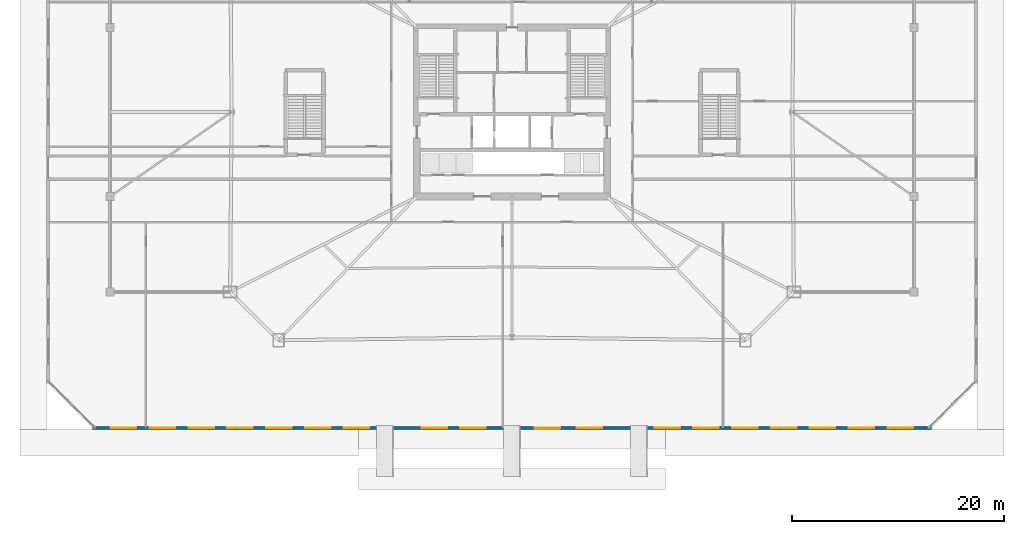
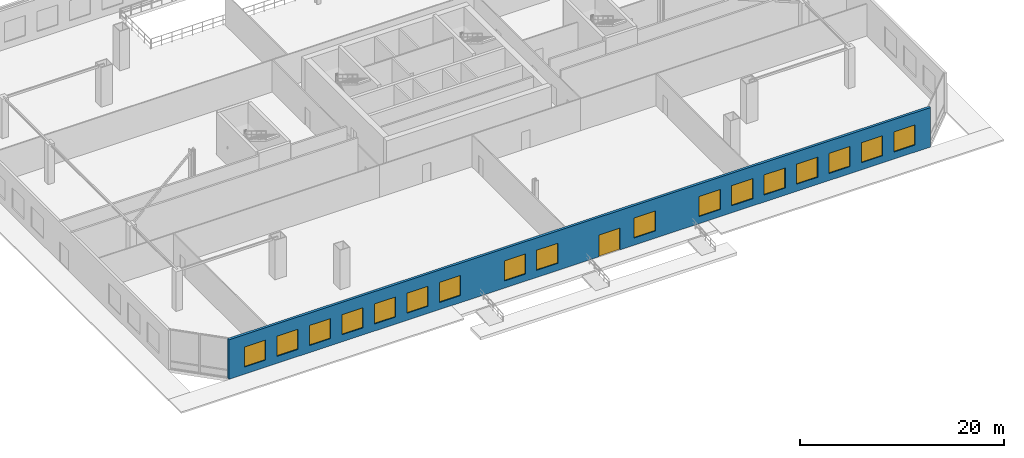
# One storey, part 13 of 23: 17 windows, 1 door, 1 wall, 18 openings.
"""IFC4 building model written with IfcOpenShell, lengths in metres."""

from ifc_helpers import new_model, si_unit, direction, frame, frame_2d, origin, place, context, subcontext, project, spatial, rectangle, extrude, material, layer, layer_set, type_object, element, fill, save


model = new_model("IFC4")

# Units and contexts
model_context = context("Model", 3, precision=1e-05, world=origin(), true_north=direction((0.0, 1.0)))
body_context = subcontext(model_context, "Body", "Model", "MODEL_VIEW")
ifc_project = project(units=[si_unit("LENGTHUNIT", "METRE"), si_unit("AREAUNIT", "SQUARE_METRE"), si_unit("VOLUMEUNIT", "CUBIC_METRE"), si_unit("PLANEANGLEUNIT", "RADIAN"), si_unit("MASSUNIT", "GRAM", prefix="KILO")], contexts=[model_context])

# Site, building, storey
site_placement = place(None, origin())
site = spatial("IfcSite", under=ifc_project, at=site_placement, CompositionType="ELEMENT")
building_placement = place(site_placement, origin())
building = spatial("IfcBuilding", under=site, at=building_placement, Name="Caelvoria Tower", CompositionType="ELEMENT")
storey_placement = place(building_placement, origin())
storey = spatial("IfcBuildingStorey", under=building, at=storey_placement, Name="L00", CompositionType="ELEMENT", Elevation=0.0)

# Wall, openings, door, windows
ifc_material_1 = material(Name="Precast Concrete C40/50 with Bronze Cladding", Category="concrete")
ifc_layer = layer(ifc_material_1, 0.280029296875, Name="Precast Concrete C40/50 with Bronze Cladding")
ifc_layer_set = layer_set([ifc_layer], Name="Exterior Precast Concrete C40/50 Bronze-Clad Facade Wall 280 - Precast Concrete C40/50 with Bronze Cladding")
wall_type = type_object("IfcWallType", Name="Exterior Precast Concrete C40/50 Bronze-Clad Facade Wall 280", PredefinedType="STANDARD", material=ifc_layer_set)
wall_placement = place(storey_placement, frame((6.360107421875, 2.139892578125, 0.0), z_axis=(0.0, 0.0, 1.0), x_axis=(1.0, 0.0, 0.0)))
wall = element("IfcWall", 1, at=wall_placement, inside=storey, type_object=wall_type, Name="Exterior Facade Wall L00-E0", PredefinedType="STANDARD", context=body_context, shape_type="SweptSolid", body=[
    extrude(rectangle(XDim=79.27978515625, YDim=0.280029296875, at=frame_2d((39.639892578125, 0.0))), origin(), (0.0, 0.0, 1.0), 4.719970703125),
])
opening_1_placement = place(wall_placement, frame((41.7900390625, 0.0, 0.0)))
opening_1 = element("IfcOpeningElement", 2, at=opening_1_placement, cuts=wall, Name="Opening ED-01", PredefinedType="OPENING", context=body_context, shape_type="SweptSolid", body=[
    extrude(rectangle(XDim=2.39990234375, YDim=2.60009765625, at=frame_2d((1.199951171875, 1.300048828125))), frame((0.0, 0.14990234375, 0.0), z_axis=(0.0, -1.0, 0.0), x_axis=(1.0, 0.0, 0.0)), (0.0, 0.0, 1.0), 0.300048828125),
])
opening_2_placement = place(wall_placement, frame((1.735107421875, 0.0, 0.85009765625)))
opening_2 = element("IfcOpeningElement", 3, at=opening_2_placement, cuts=wall, Name="Opening WN-04", PredefinedType="OPENING", context=body_context, shape_type="SweptSolid", body=[
    extrude(rectangle(XDim=2.39990234375, YDim=2.39990234375, at=frame_2d((1.199951171875, 1.199951171875))), frame((0.0, 0.14990234375, 0.0), z_axis=(0.0, -1.0, 0.0), x_axis=(1.0, 0.0, 0.0)), (0.0, 0.0, 1.0), 0.300048828125),
])
opening_3_placement = place(wall_placement, frame((5.40576171875, 0.0, 0.85009765625)))
opening_3 = element("IfcOpeningElement", 4, at=opening_3_placement, cuts=wall, Name="Opening WN-04", PredefinedType="OPENING", context=body_context, shape_type="SweptSolid", body=[
    extrude(rectangle(XDim=2.39990234375, YDim=2.39990234375, at=frame_2d((1.199951171875, 1.199951171875))), frame((0.0, 0.14990234375, 0.0), z_axis=(0.0, -1.0, 0.0), x_axis=(1.0, 0.0, 0.0)), (0.0, 0.0, 1.0), 0.300048828125),
])
opening_4_placement = place(wall_placement, frame((9.076171875, 0.0, 0.85009765625)))
opening_4 = element("IfcOpeningElement", 5, at=opening_4_placement, cuts=wall, Name="Opening WN-04", PredefinedType="OPENING", context=body_context, shape_type="SweptSolid", body=[
    extrude(rectangle(XDim=2.39990234375, YDim=2.39990234375, at=frame_2d((1.199951171875, 1.199951171875))), frame((0.0, 0.14990234375, 0.0), z_axis=(0.0, -1.0, 0.0), x_axis=(1.0, 0.0, 0.0)), (0.0, 0.0, 1.0), 0.300048828125),
])
opening_5_placement = place(wall_placement, frame((12.74658203125, 0.0, 0.85009765625)))
opening_5 = element("IfcOpeningElement", 6, at=opening_5_placement, cuts=wall, Name="Opening WN-04", PredefinedType="OPENING", context=body_context, shape_type="SweptSolid", body=[
    extrude(rectangle(XDim=2.39990234375, YDim=2.39990234375, at=frame_2d((1.199951171875, 1.199951171875))), frame((0.0, 0.14990234375, 0.0), z_axis=(0.0, -1.0, 0.0), x_axis=(1.0, 0.0, 0.0)), (0.0, 0.0, 1.0), 0.300048828125),
])
opening_6_placement = place(wall_placement, frame((16.4169921875, 0.0, 0.85009765625)))
opening_6 = element("IfcOpeningElement", 7, at=opening_6_placement, cuts=wall, Name="Opening WN-04", PredefinedType="OPENING", context=body_context, shape_type="SweptSolid", body=[
    extrude(rectangle(XDim=2.39990234375, YDim=2.39990234375, at=frame_2d((1.199951171875, 1.199951171875))), frame((0.0, 0.14990234375, 0.0), z_axis=(0.0, -1.0, 0.0), x_axis=(1.0, 0.0, 0.0)), (0.0, 0.0, 1.0), 0.300048828125),
])
opening_7_placement = place(wall_placement, frame((20.087646484375, 0.0, 0.85009765625)))
opening_7 = element("IfcOpeningElement", 8, at=opening_7_placement, cuts=wall, Name="Opening WN-04", PredefinedType="OPENING", context=body_context, shape_type="SweptSolid", body=[
    extrude(rectangle(XDim=2.39990234375, YDim=2.39990234375, at=frame_2d((1.199951171875, 1.199951171875))), frame((0.0, 0.14990234375, 0.0), z_axis=(0.0, -1.0, 0.0), x_axis=(1.0, 0.0, 0.0)), (0.0, 0.0, 1.0), 0.300048828125),
])
opening_8_placement = place(wall_placement, frame((23.758056640625, 0.0, 0.85009765625)))
opening_8 = element("IfcOpeningElement", 9, at=opening_8_placement, cuts=wall, Name="Opening WN-04", PredefinedType="OPENING", context=body_context, shape_type="SweptSolid", body=[
    extrude(rectangle(XDim=2.39990234375, YDim=2.39990234375, at=frame_2d((1.199951171875, 1.199951171875))), frame((0.0, 0.14990234375, 0.0), z_axis=(0.0, -1.0, 0.0), x_axis=(1.0, 0.0, 0.0)), (0.0, 0.0, 1.0), 0.300048828125),
])
opening_9_placement = place(wall_placement, frame((31.09912109375, 0.0, 0.85009765625)))
opening_9 = element("IfcOpeningElement", 10, at=opening_9_placement, cuts=wall, Name="Opening WN-04", PredefinedType="OPENING", context=body_context, shape_type="SweptSolid", body=[
    extrude(rectangle(XDim=2.39990234375, YDim=2.39990234375, at=frame_2d((1.199951171875, 1.199951171875))), frame((0.0, 0.14990234375, 0.0), z_axis=(0.0, -1.0, 0.0), x_axis=(1.0, 0.0, 0.0)), (0.0, 0.0, 1.0), 0.300048828125),
])
opening_10_placement = place(wall_placement, frame((34.76953125, 0.0, 0.85009765625)))
opening_10 = element("IfcOpeningElement", 11, at=opening_10_placement, cuts=wall, Name="Opening WN-04", PredefinedType="OPENING", context=body_context, shape_type="SweptSolid", body=[
    extrude(rectangle(XDim=2.39990234375, YDim=2.39990234375, at=frame_2d((1.199951171875, 1.199951171875))), frame((0.0, 0.14990234375, 0.0), z_axis=(0.0, -1.0, 0.0), x_axis=(1.0, 0.0, 0.0)), (0.0, 0.0, 1.0), 0.300048828125),
])
opening_11_placement = place(wall_placement, frame((45.781005859375, 0.0, 0.85009765625)))
opening_11 = element("IfcOpeningElement", 12, at=opening_11_placement, cuts=wall, Name="Opening WN-04", PredefinedType="OPENING", context=body_context, shape_type="SweptSolid", body=[
    extrude(rectangle(XDim=2.39990234375, YDim=2.39990234375, at=frame_2d((1.199951171875, 1.199951171875))), frame((0.0, 0.14990234375, 0.0), z_axis=(0.0, -1.0, 0.0), x_axis=(1.0, 0.0, 0.0)), (0.0, 0.0, 1.0), 0.300048828125),
])
opening_12_placement = place(wall_placement, frame((53.121826171875, 0.0, 0.85009765625)))
opening_12 = element("IfcOpeningElement", 13, at=opening_12_placement, cuts=wall, Name="Opening WN-04", PredefinedType="OPENING", context=body_context, shape_type="SweptSolid", body=[
    extrude(rectangle(XDim=2.39990234375, YDim=2.39990234375, at=frame_2d((1.199951171875, 1.199951171875))), frame((0.0, 0.14990234375, 0.0), z_axis=(0.0, -1.0, 0.0), x_axis=(1.0, 0.0, 0.0)), (0.0, 0.0, 1.0), 0.300048828125),
])
opening_13_placement = place(wall_placement, frame((56.79248046875, 0.0, 0.85009765625)))
opening_13 = element("IfcOpeningElement", 14, at=opening_13_placement, cuts=wall, Name="Opening WN-04", PredefinedType="OPENING", context=body_context, shape_type="SweptSolid", body=[
    extrude(rectangle(XDim=2.39990234375, YDim=2.39990234375, at=frame_2d((1.199951171875, 1.199951171875))), frame((0.0, 0.14990234375, 0.0), z_axis=(0.0, -1.0, 0.0), x_axis=(1.0, 0.0, 0.0)), (0.0, 0.0, 1.0), 0.300048828125),
])
opening_14_placement = place(wall_placement, frame((60.462890625, 0.0, 0.85009765625)))
opening_14 = element("IfcOpeningElement", 15, at=opening_14_placement, cuts=wall, Name="Opening WN-04", PredefinedType="OPENING", context=body_context, shape_type="SweptSolid", body=[
    extrude(rectangle(XDim=2.39990234375, YDim=2.39990234375, at=frame_2d((1.199951171875, 1.199951171875))), frame((0.0, 0.14990234375, 0.0), z_axis=(0.0, -1.0, 0.0), x_axis=(1.0, 0.0, 0.0)), (0.0, 0.0, 1.0), 0.300048828125),
])
opening_15_placement = place(wall_placement, frame((64.13330078125, 0.0, 0.85009765625)))
opening_15 = element("IfcOpeningElement", 16, at=opening_15_placement, cuts=wall, Name="Opening WN-04", PredefinedType="OPENING", context=body_context, shape_type="SweptSolid", body=[
    extrude(rectangle(XDim=2.39990234375, YDim=2.39990234375, at=frame_2d((1.199951171875, 1.199951171875))), frame((0.0, 0.14990234375, 0.0), z_axis=(0.0, -1.0, 0.0), x_axis=(1.0, 0.0, 0.0)), (0.0, 0.0, 1.0), 0.300048828125),
])
opening_16_placement = place(wall_placement, frame((67.8037109375, 0.0, 0.85009765625)))
opening_16 = element("IfcOpeningElement", 17, at=opening_16_placement, cuts=wall, Name="Opening WN-04", PredefinedType="OPENING", context=body_context, shape_type="SweptSolid", body=[
    extrude(rectangle(XDim=2.39990234375, YDim=2.39990234375, at=frame_2d((1.199951171875, 1.199951171875))), frame((0.0, 0.14990234375, 0.0), z_axis=(0.0, -1.0, 0.0), x_axis=(1.0, 0.0, 0.0)), (0.0, 0.0, 1.0), 0.300048828125),
])
opening_17_placement = place(wall_placement, frame((71.474365234375, 0.0, 0.85009765625)))
opening_17 = element("IfcOpeningElement", 18, at=opening_17_placement, cuts=wall, Name="Opening WN-04", PredefinedType="OPENING", context=body_context, shape_type="SweptSolid", body=[
    extrude(rectangle(XDim=2.39990234375, YDim=2.39990234375, at=frame_2d((1.199951171875, 1.199951171875))), frame((0.0, 0.14990234375, 0.0), z_axis=(0.0, -1.0, 0.0), x_axis=(1.0, 0.0, 0.0)), (0.0, 0.0, 1.0), 0.300048828125),
])
opening_18_placement = place(wall_placement, frame((75.144775390625, 0.0, 0.85009765625)))
opening_18 = element("IfcOpeningElement", 19, at=opening_18_placement, cuts=wall, Name="Opening WN-04", PredefinedType="OPENING", context=body_context, shape_type="SweptSolid", body=[
    extrude(rectangle(XDim=2.39990234375, YDim=2.39990234375, at=frame_2d((1.199951171875, 1.199951171875))), frame((0.0, 0.14990234375, 0.0), z_axis=(0.0, -1.0, 0.0), x_axis=(1.0, 0.0, 0.0)), (0.0, 0.0, 1.0), 0.300048828125),
])
ifc_material_2 = material(Name="Anodised Bronze Aluminium and Laminated Glass", Category="aluminium")
door_type = type_object("IfcDoorType", Name="Main Plaza Double Entrance Glazed Door 2400x2600", OperationType="NOTDEFINED", PredefinedType="DOOR", material=ifc_material_2)
door_placement = place(opening_1_placement, frame((2.39990234375, 0.0, 0.0), z_axis=(0.0, 0.0, 1.0), x_axis=(-1.0, 0.0, 0.0)))
door = element("IfcDoor", 20, at=door_placement, inside=storey, type_object=door_type, Name="Ground Main Entrance Door S", OperationType="DOUBLE_DOOR_SINGLE_SWING", OverallHeight=2.60009765625, OverallWidth=2.39990234375, PredefinedType="DOOR", context=body_context, shape_type="SweptSolid", body=[
    extrude(rectangle(XDim=2.39990234375, YDim=2.60009765625, at=frame_2d((1.199951171875, 1.300048828125))), frame((0.0, 0.02490234375, 0.0), z_axis=(0.0, -1.0, 0.0), x_axis=(1.0, 0.0, 0.0)), (0.0, 0.0, 1.0), 0.050048828125),
])
fill(opening_1, door)
ifc_material_3 = material(Name="Low-E Tinted Glass in Bronze Aluminium Frame", Category="aluminium")
window_type = type_object("IfcWindowType", Name="Podium Commercial Ribbon Window 2400x2400", PartitioningType="SINGLE_PANEL", PredefinedType="WINDOW", material=ifc_material_3)
window_1_placement = place(opening_2_placement, origin())
window_1 = element("IfcWindow", 21, at=window_1_placement, inside=storey, type_object=window_type, Name="Facade Window L00-E0-00", OverallHeight=2.39990234375, OverallWidth=2.39990234375, PartitioningType="SINGLE_PANEL", PredefinedType="WINDOW", context=body_context, shape_type="SweptSolid", body=[
    extrude(rectangle(XDim=2.39990234375, YDim=2.39990234375, at=frame_2d((1.199951171875, 1.199951171875))), frame((0.0, 0.030029296875, 0.0), z_axis=(0.0, -1.0, 0.0), x_axis=(1.0, 0.0, 0.0)), (0.0, 0.0, 1.0), 0.06005859375),
])
fill(opening_2, window_1)
window_2_placement = place(opening_3_placement, origin())
window_2 = element("IfcWindow", 22, at=window_2_placement, inside=storey, type_object=window_type, Name="Facade Window L00-E0-01", OverallHeight=2.39990234375, OverallWidth=2.39990234375, PartitioningType="SINGLE_PANEL", PredefinedType="WINDOW", context=body_context, shape_type="SweptSolid", body=[
    extrude(rectangle(XDim=2.39990234375, YDim=2.39990234375, at=frame_2d((1.199951171875, 1.199951171875))), frame((0.0, 0.030029296875, 0.0), z_axis=(0.0, -1.0, 0.0), x_axis=(1.0, 0.0, 0.0)), (0.0, 0.0, 1.0), 0.06005859375),
])
fill(opening_3, window_2)
window_3_placement = place(opening_4_placement, origin())
window_3 = element("IfcWindow", 23, at=window_3_placement, inside=storey, type_object=window_type, Name="Facade Window L00-E0-02", OverallHeight=2.39990234375, OverallWidth=2.39990234375, PartitioningType="SINGLE_PANEL", PredefinedType="WINDOW", context=body_context, shape_type="SweptSolid", body=[
    extrude(rectangle(XDim=2.39990234375, YDim=2.39990234375, at=frame_2d((1.199951171875, 1.199951171875))), frame((0.0, 0.030029296875, 0.0), z_axis=(0.0, -1.0, 0.0), x_axis=(1.0, 0.0, 0.0)), (0.0, 0.0, 1.0), 0.06005859375),
])
fill(opening_4, window_3)
window_4_placement = place(opening_5_placement, origin())
window_4 = element("IfcWindow", 24, at=window_4_placement, inside=storey, type_object=window_type, Name="Facade Window L00-E0-03", OverallHeight=2.39990234375, OverallWidth=2.39990234375, PartitioningType="SINGLE_PANEL", PredefinedType="WINDOW", context=body_context, shape_type="SweptSolid", body=[
    extrude(rectangle(XDim=2.39990234375, YDim=2.39990234375, at=frame_2d((1.199951171875, 1.199951171875))), frame((0.0, 0.030029296875, 0.0), z_axis=(0.0, -1.0, 0.0), x_axis=(1.0, 0.0, 0.0)), (0.0, 0.0, 1.0), 0.06005859375),
])
fill(opening_5, window_4)
window_5_placement = place(opening_6_placement, origin())
window_5 = element("IfcWindow", 25, at=window_5_placement, inside=storey, type_object=window_type, Name="Facade Window L00-E0-04", OverallHeight=2.39990234375, OverallWidth=2.39990234375, PartitioningType="SINGLE_PANEL", PredefinedType="WINDOW", context=body_context, shape_type="SweptSolid", body=[
    extrude(rectangle(XDim=2.39990234375, YDim=2.39990234375, at=frame_2d((1.199951171875, 1.199951171875))), frame((0.0, 0.030029296875, 0.0), z_axis=(0.0, -1.0, 0.0), x_axis=(1.0, 0.0, 0.0)), (0.0, 0.0, 1.0), 0.06005859375),
])
fill(opening_6, window_5)
window_6_placement = place(opening_7_placement, origin())
window_6 = element("IfcWindow", 26, at=window_6_placement, inside=storey, type_object=window_type, Name="Facade Window L00-E0-05", OverallHeight=2.39990234375, OverallWidth=2.39990234375, PartitioningType="SINGLE_PANEL", PredefinedType="WINDOW", context=body_context, shape_type="SweptSolid", body=[
    extrude(rectangle(XDim=2.39990234375, YDim=2.39990234375, at=frame_2d((1.199951171875, 1.199951171875))), frame((0.0, 0.030029296875, 0.0), z_axis=(0.0, -1.0, 0.0), x_axis=(1.0, 0.0, 0.0)), (0.0, 0.0, 1.0), 0.06005859375),
])
fill(opening_7, window_6)
window_7_placement = place(opening_8_placement, origin())
window_7 = element("IfcWindow", 27, at=window_7_placement, inside=storey, type_object=window_type, Name="Facade Window L00-E0-06", OverallHeight=2.39990234375, OverallWidth=2.39990234375, PartitioningType="SINGLE_PANEL", PredefinedType="WINDOW", context=body_context, shape_type="SweptSolid", body=[
    extrude(rectangle(XDim=2.39990234375, YDim=2.39990234375, at=frame_2d((1.199951171875, 1.199951171875))), frame((0.0, 0.030029296875, 0.0), z_axis=(0.0, -1.0, 0.0), x_axis=(1.0, 0.0, 0.0)), (0.0, 0.0, 1.0), 0.06005859375),
])
fill(opening_8, window_7)
window_8_placement = place(opening_9_placement, origin())
window_8 = element("IfcWindow", 28, at=window_8_placement, inside=storey, type_object=window_type, Name="Facade Window L00-E0-08", OverallHeight=2.39990234375, OverallWidth=2.39990234375, PartitioningType="SINGLE_PANEL", PredefinedType="WINDOW", context=body_context, shape_type="SweptSolid", body=[
    extrude(rectangle(XDim=2.39990234375, YDim=2.39990234375, at=frame_2d((1.199951171875, 1.199951171875))), frame((0.0, 0.030029296875, 0.0), z_axis=(0.0, -1.0, 0.0), x_axis=(1.0, 0.0, 0.0)), (0.0, 0.0, 1.0), 0.06005859375),
])
fill(opening_9, window_8)
window_9_placement = place(opening_10_placement, origin())
window_9 = element("IfcWindow", 29, at=window_9_placement, inside=storey, type_object=window_type, Name="Facade Window L00-E0-09", OverallHeight=2.39990234375, OverallWidth=2.39990234375, PartitioningType="SINGLE_PANEL", PredefinedType="WINDOW", context=body_context, shape_type="SweptSolid", body=[
    extrude(rectangle(XDim=2.39990234375, YDim=2.39990234375, at=frame_2d((1.199951171875, 1.199951171875))), frame((0.0, 0.030029296875, 0.0), z_axis=(0.0, -1.0, 0.0), x_axis=(1.0, 0.0, 0.0)), (0.0, 0.0, 1.0), 0.06005859375),
])
fill(opening_10, window_9)
window_10_placement = place(opening_11_placement, origin())
window_10 = element("IfcWindow", 30, at=window_10_placement, inside=storey, type_object=window_type, Name="Facade Window L00-E0-12", OverallHeight=2.39990234375, OverallWidth=2.39990234375, PartitioningType="SINGLE_PANEL", PredefinedType="WINDOW", context=body_context, shape_type="SweptSolid", body=[
    extrude(rectangle(XDim=2.39990234375, YDim=2.39990234375, at=frame_2d((1.199951171875, 1.199951171875))), frame((0.0, 0.030029296875, 0.0), z_axis=(0.0, -1.0, 0.0), x_axis=(1.0, 0.0, 0.0)), (0.0, 0.0, 1.0), 0.06005859375),
])
fill(opening_11, window_10)
window_11_placement = place(opening_12_placement, origin())
window_11 = element("IfcWindow", 31, at=window_11_placement, inside=storey, type_object=window_type, Name="Facade Window L00-E0-14", OverallHeight=2.39990234375, OverallWidth=2.39990234375, PartitioningType="SINGLE_PANEL", PredefinedType="WINDOW", context=body_context, shape_type="SweptSolid", body=[
    extrude(rectangle(XDim=2.39990234375, YDim=2.39990234375, at=frame_2d((1.199951171875, 1.199951171875))), frame((0.0, 0.030029296875, 0.0), z_axis=(0.0, -1.0, 0.0), x_axis=(1.0, 0.0, 0.0)), (0.0, 0.0, 1.0), 0.06005859375),
])
fill(opening_12, window_11)
window_12_placement = place(opening_13_placement, origin())
window_12 = element("IfcWindow", 32, at=window_12_placement, inside=storey, type_object=window_type, Name="Facade Window L00-E0-15", OverallHeight=2.39990234375, OverallWidth=2.39990234375, PartitioningType="SINGLE_PANEL", PredefinedType="WINDOW", context=body_context, shape_type="SweptSolid", body=[
    extrude(rectangle(XDim=2.39990234375, YDim=2.39990234375, at=frame_2d((1.199951171875, 1.199951171875))), frame((0.0, 0.030029296875, 0.0), z_axis=(0.0, -1.0, 0.0), x_axis=(1.0, 0.0, 0.0)), (0.0, 0.0, 1.0), 0.06005859375),
])
fill(opening_13, window_12)
window_13_placement = place(opening_14_placement, origin())
window_13 = element("IfcWindow", 33, at=window_13_placement, inside=storey, type_object=window_type, Name="Facade Window L00-E0-16", OverallHeight=2.39990234375, OverallWidth=2.39990234375, PartitioningType="SINGLE_PANEL", PredefinedType="WINDOW", context=body_context, shape_type="SweptSolid", body=[
    extrude(rectangle(XDim=2.39990234375, YDim=2.39990234375, at=frame_2d((1.199951171875, 1.199951171875))), frame((0.0, 0.030029296875, 0.0), z_axis=(0.0, -1.0, 0.0), x_axis=(1.0, 0.0, 0.0)), (0.0, 0.0, 1.0), 0.06005859375),
])
fill(opening_14, window_13)
window_14_placement = place(opening_15_placement, origin())
window_14 = element("IfcWindow", 34, at=window_14_placement, inside=storey, type_object=window_type, Name="Facade Window L00-E0-17", OverallHeight=2.39990234375, OverallWidth=2.39990234375, PartitioningType="SINGLE_PANEL", PredefinedType="WINDOW", context=body_context, shape_type="SweptSolid", body=[
    extrude(rectangle(XDim=2.39990234375, YDim=2.39990234375, at=frame_2d((1.199951171875, 1.199951171875))), frame((0.0, 0.030029296875, 0.0), z_axis=(0.0, -1.0, 0.0), x_axis=(1.0, 0.0, 0.0)), (0.0, 0.0, 1.0), 0.06005859375),
])
fill(opening_15, window_14)
window_15_placement = place(opening_16_placement, origin())
window_15 = element("IfcWindow", 35, at=window_15_placement, inside=storey, type_object=window_type, Name="Facade Window L00-E0-18", OverallHeight=2.39990234375, OverallWidth=2.39990234375, PartitioningType="SINGLE_PANEL", PredefinedType="WINDOW", context=body_context, shape_type="SweptSolid", body=[
    extrude(rectangle(XDim=2.39990234375, YDim=2.39990234375, at=frame_2d((1.199951171875, 1.199951171875))), frame((0.0, 0.030029296875, 0.0), z_axis=(0.0, -1.0, 0.0), x_axis=(1.0, 0.0, 0.0)), (0.0, 0.0, 1.0), 0.06005859375),
])
fill(opening_16, window_15)
window_16_placement = place(opening_17_placement, origin())
window_16 = element("IfcWindow", 36, at=window_16_placement, inside=storey, type_object=window_type, Name="Facade Window L00-E0-19", OverallHeight=2.39990234375, OverallWidth=2.39990234375, PartitioningType="SINGLE_PANEL", PredefinedType="WINDOW", context=body_context, shape_type="SweptSolid", body=[
    extrude(rectangle(XDim=2.39990234375, YDim=2.39990234375, at=frame_2d((1.199951171875, 1.199951171875))), frame((0.0, 0.030029296875, 0.0), z_axis=(0.0, -1.0, 0.0), x_axis=(1.0, 0.0, 0.0)), (0.0, 0.0, 1.0), 0.06005859375),
])
fill(opening_17, window_16)
window_17_placement = place(opening_18_placement, origin())
window_17 = element("IfcWindow", 37, at=window_17_placement, inside=storey, type_object=window_type, Name="Facade Window L00-E0-20", OverallHeight=2.39990234375, OverallWidth=2.39990234375, PartitioningType="SINGLE_PANEL", PredefinedType="WINDOW", context=body_context, shape_type="SweptSolid", body=[
    extrude(rectangle(XDim=2.39990234375, YDim=2.39990234375, at=frame_2d((1.199951171875, 1.199951171875))), frame((0.0, 0.030029296875, 0.0), z_axis=(0.0, -1.0, 0.0), x_axis=(1.0, 0.0, 0.0)), (0.0, 0.0, 1.0), 0.06005859375),
])
fill(opening_18, window_17)

save(model, "model.ifc")
